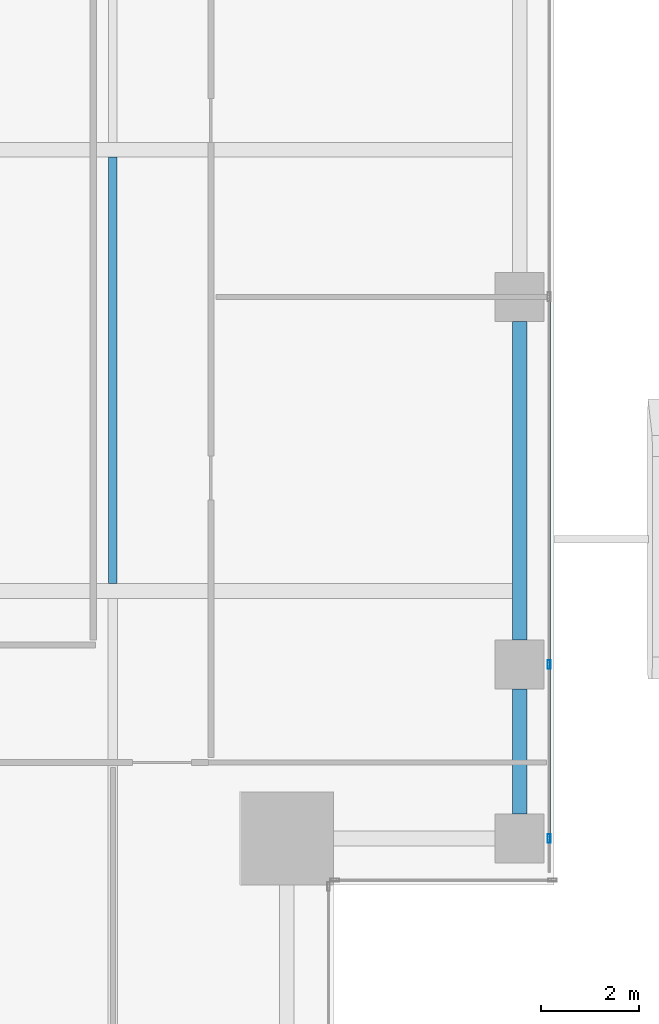
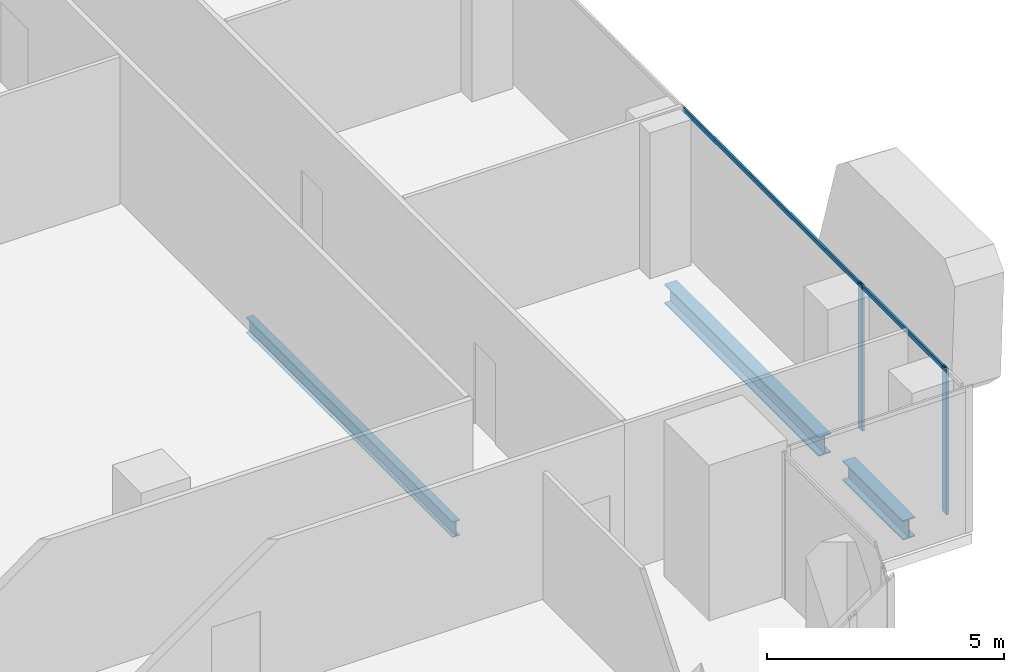
# One storey, part 12 of 38: 4 members, 3 beams, 1 element without a shape of its own.
"""IFC4 building model written with IfcOpenShell, lengths in metres."""

from ifc_helpers import new_model, si_unit, direction, frame, origin, origin_2d, place, context, subcontext, project, spatial, hollow_rectangle, i_section, extrude, source, transform, mapped, material, material_profile, profile_set, type_object, element, aggregate, save


model = new_model("IFC4")

# Units and contexts
model_context = context("Model", 3, precision=1e-05, world=origin(), true_north=direction((0.0, 1.0)))
body_context = subcontext(model_context, "Body", "Model", "MODEL_VIEW")
ifc_project = project(units=[si_unit("LENGTHUNIT", "METRE"), si_unit("AREAUNIT", "SQUARE_METRE"), si_unit("VOLUMEUNIT", "CUBIC_METRE"), si_unit("PLANEANGLEUNIT", "RADIAN"), si_unit("MASSUNIT", "GRAM", prefix="KILO")], contexts=[model_context])

# Site, building, storey
site_placement = place(None, origin())
site = spatial("IfcSite", under=ifc_project, at=site_placement, CompositionType="ELEMENT")
building_placement = place(site_placement, origin())
building = spatial("IfcBuilding", under=site, at=building_placement, Name="Khomas Fold Tower", CompositionType="ELEMENT")
storey_placement = place(building_placement, frame((0.0, 0.0, 196.699951171875)))
storey = spatial("IfcBuildingStorey", under=building, at=storey_placement, Name="L43", CompositionType="ELEMENT", Elevation=196.699951171875)

# Beams
ifc_material_1 = material(Name="Steel S355", Category="steel")
ifc_material_profile_1 = material_profile(ifc_material_1, i_section(OverallWidth=0.179931640625, OverallDepth=0.39990234375, WebThickness=0.008544921875, FlangeThickness=0.013427734375, at=origin_2d()), Name="IPE 400")
ifc_profile_set_1 = profile_set([ifc_material_profile_1], Name="Steel S355")
beam_type_1 = type_object("IfcBeamType", Name="IPE 400 beam JB3", PredefinedType="BEAM", material=ifc_profile_set_1)
shared_shape_1 = source(origin(), body_context, "Body", "SweptSolid", [
    extrude(i_section(OverallWidth=0.179931640625, OverallDepth=0.39990234375, WebThickness=0.008544921875, FlangeThickness=0.013427734375, at=origin_2d()), origin(), (0.0, 0.0, 1.0), 8.7001953125),
])
beam_1_placement = place(storey_placement, frame((42.0, 13.64990234375, -0.449951171875), z_axis=(0.0, 1.0, 0.0), x_axis=(-1.0, 0.0, 0.0)))
element("IfcBeam", 1, at=beam_1_placement, inside=storey, type_object=beam_type_1, Name="JB3", PredefinedType="BEAM", context=body_context, shape_type="MappedRepresentation", body=[
    mapped(shared_shape_1, transform((0.0, 0.0, 0.0))),
])
ifc_material_2 = material(Name="Steel S355", Category="steel")
ifc_material_profile_2 = material_profile(ifc_material_2, i_section(OverallWidth=0.300048828125, OverallDepth=0.5, WebThickness=0.014404296875, FlangeThickness=0.028076171875, at=origin_2d()), Name="HE 500 B")
ifc_profile_set_2 = profile_set([ifc_material_profile_2], Name="Steel S355")
beam_type_2 = type_object("IfcBeamType", Name="HE 500 B spandrel SB3", PredefinedType="SPANDREL", material=ifc_profile_set_2)
shared_shape_2 = source(origin(), body_context, "Body", "SweptSolid", [
    extrude(i_section(OverallWidth=0.300048828125, OverallDepth=0.5, WebThickness=0.014404296875, FlangeThickness=0.028076171875, at=origin_2d()), origin(), (0.0, 0.0, 1.0), 2.550048828125),
])
beam_2_placement = place(storey_placement, frame((50.300048828125, 8.949951171875, -0.5), z_axis=(0.0, 1.0, 0.0), x_axis=(-1.0, 0.0, 0.0)))
element("IfcBeam", 2, at=beam_2_placement, inside=storey, type_object=beam_type_2, Name="SB3", PredefinedType="SPANDREL", context=body_context, shape_type="MappedRepresentation", body=[
    mapped(shared_shape_2, transform((0.0, 0.0, 0.0))),
])
shared_shape_3 = source(origin(), body_context, "Body", "SweptSolid", [
    extrude(i_section(OverallWidth=0.300048828125, OverallDepth=0.5, WebThickness=0.014404296875, FlangeThickness=0.028076171875, at=origin_2d()), origin(), (0.0, 0.0, 1.0), 6.5),
])
beam_3_placement = place(storey_placement, frame((50.300048828125, 12.5, -0.5), z_axis=(0.0, 1.0, 0.0), x_axis=(-1.0, 0.0, 0.0)))
element("IfcBeam", 3, at=beam_3_placement, inside=storey, type_object=beam_type_2, Name="SB3", PredefinedType="SPANDREL", context=body_context, shape_type="MappedRepresentation", body=[
    mapped(shared_shape_3, transform((0.0, 0.0, 0.0))),
])

# Curtain wall, members
ifc_material_3 = material(Name="Aluminium framed double glazing", Category="aluminium")
curtain_wall_type = type_object("IfcCurtainWallType", Name="SK-Unitised clear-glass wall, office floors CW2", PredefinedType="NOTDEFINED", material=ifc_material_3)
curtain_wall_placement = place(storey_placement, origin())
curtain_wall = element("IfcCurtainWall", 4, at=curtain_wall_placement, inside=storey, type_object=curtain_wall_type, Name="CW2 run L43 03-0", PredefinedType="NOTDEFINED")
ifc_material_4 = material(Name="Aluminium", Category="aluminium")
ifc_material_profile_3 = material_profile(ifc_material_4, hollow_rectangle(XDim=0.06005859375, YDim=0.179931640625, WallThickness=0.00390625, at=origin_2d()), Name="SK-Unitised clear-glass wall, office floors mullion CW2-M")
ifc_profile_set_3 = profile_set([ifc_material_profile_3], Name="Aluminium")
member_type_1 = type_object("IfcMemberType", Name="SK-Unitised clear-glass wall, office floors mullion CW2-M", PredefinedType="MULLION", material=ifc_profile_set_3)
shared_shape_4 = source(origin(), body_context, "Body", "SweptSolid", [
    extrude(hollow_rectangle(XDim=0.06005859375, YDim=0.179931640625, WallThickness=0.00390625, at=origin_2d()), origin(), (0.0, 0.0, 1.0), 3.75),
])
member_1_placement = place(storey_placement, frame((50.89990234375, 8.449951171875, 0.0), z_axis=(0.0, 0.0, 1.0), x_axis=(-1.0, 0.0, 0.0)))
member_1 = element("IfcMember", 5, at=member_1_placement, type_object=member_type_1, Name="CW2 mullion 2", PredefinedType="MULLION", context=body_context, shape_type="MappedRepresentation", body=[
    mapped(shared_shape_4, transform((0.0, 0.0, 0.0))),
])
member_2_placement = place(storey_placement, frame((50.89990234375, 12.0, 0.0), z_axis=(0.0, 0.0, 1.0), x_axis=(-1.0, 0.0, 0.0)))
member_2 = element("IfcMember", 6, at=member_2_placement, type_object=member_type_1, Name="CW2 mullion 3", PredefinedType="MULLION", context=body_context, shape_type="MappedRepresentation", body=[
    mapped(shared_shape_4, transform((0.0, 0.0, 0.0))),
])
ifc_material_5 = material(Name="Aluminium", Category="aluminium")
ifc_material_profile_4 = material_profile(ifc_material_5, hollow_rectangle(XDim=0.050048828125, YDim=0.110107421875, WallThickness=0.00390625, at=origin_2d()), Name="SK-Unitised clear-glass wall, office floors transom CW2-T")
ifc_profile_set_4 = profile_set([ifc_material_profile_4], Name="Aluminium")
member_type_2 = type_object("IfcMemberType", Name="SK-Unitised clear-glass wall, office floors transom CW2-T", PredefinedType="USERDEFINED", material=ifc_profile_set_4)
shared_shape_5 = source(origin(), body_context, "Body", "SweptSolid", [
    extrude(hollow_rectangle(XDim=0.050048828125, YDim=0.110107421875, WallThickness=0.00390625, at=origin_2d()), origin(), (0.0, 0.0, 1.0), 3.489990234375),
])
member_3_placement = place(storey_placement, frame((50.89990234375, 8.47998046875, 3.695068359375), z_axis=(0.0, 1.0, 0.0), x_axis=(-1.0, 0.0, 0.0)))
member_3 = element("IfcMember", 7, at=member_3_placement, type_object=member_type_2, Name="CW2 transom 2", ObjectType="TRANSOM", PredefinedType="USERDEFINED", context=body_context, shape_type="MappedRepresentation", body=[
    mapped(shared_shape_5, transform((0.0, 0.0, 0.0))),
])
shared_shape_6 = source(origin(), body_context, "Body", "SweptSolid", [
    extrude(hollow_rectangle(XDim=0.050048828125, YDim=0.110107421875, WallThickness=0.00390625, at=origin_2d()), origin(), (0.0, 0.0, 1.0), 7.43994140625),
])
member_4_placement = place(storey_placement, frame((50.89990234375, 12.030029296875, 3.695068359375), z_axis=(0.0, 1.0, 0.0), x_axis=(-1.0, 0.0, 0.0)))
member_4 = element("IfcMember", 8, at=member_4_placement, type_object=member_type_2, Name="CW2 transom 3", ObjectType="TRANSOM", PredefinedType="USERDEFINED", context=body_context, shape_type="MappedRepresentation", body=[
    mapped(shared_shape_6, transform((0.0, 0.0, 0.0))),
])
aggregate(curtain_wall, [member_1, member_2, member_3, member_4])

save(model, "model.ifc")
